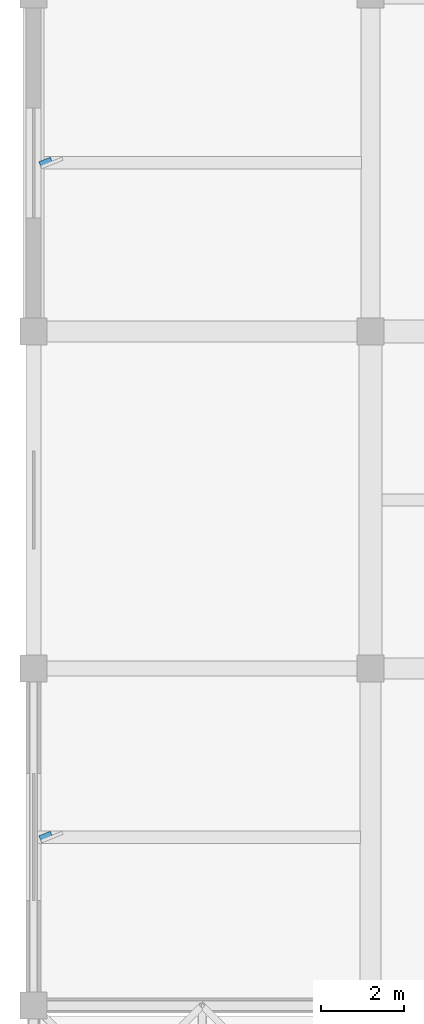
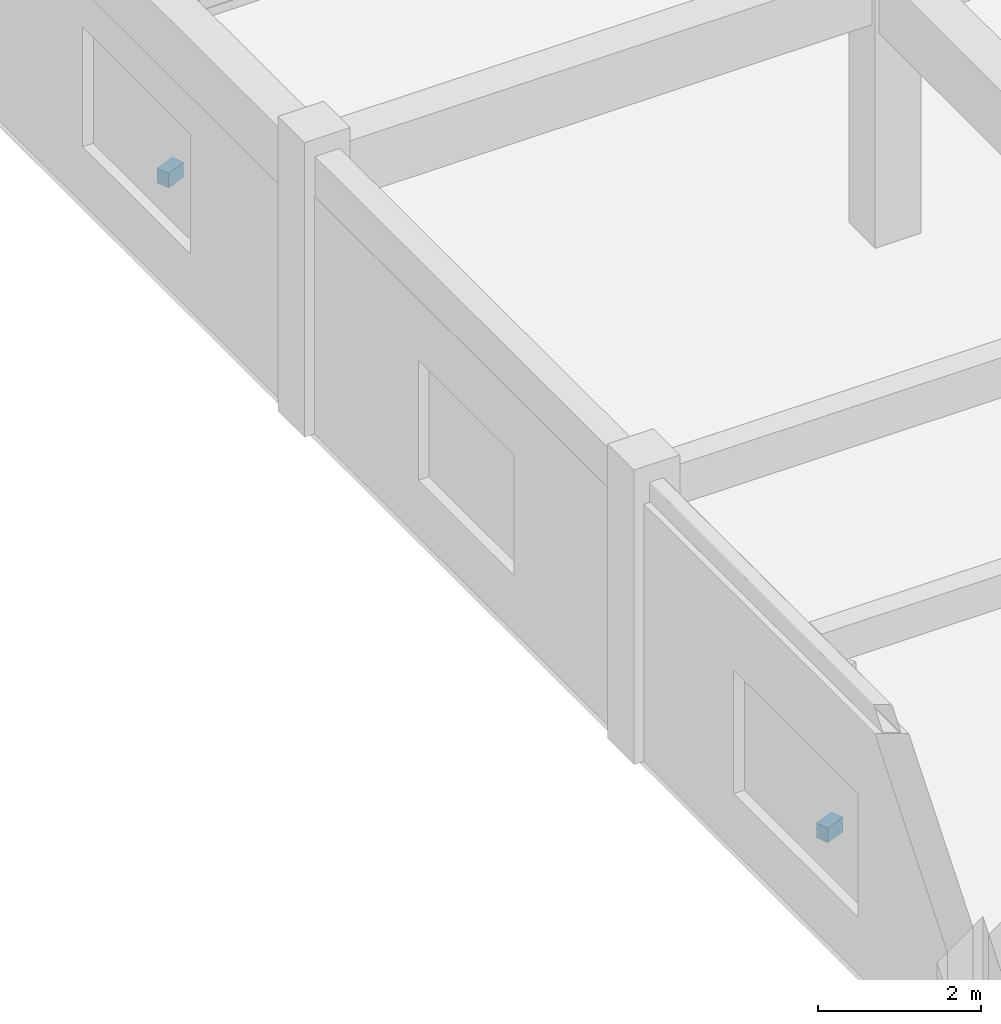
# One storey, part 61 of 70: 2 discrete accessories.
"""IFC4 building model written with IfcOpenShell, lengths in metres."""

from ifc_helpers import new_model, si_unit, direction, frame, origin, origin_2d, place, context, subcontext, project, spatial, rectangle, extrude, material, type_object, element, save


model = new_model("IFC4")

# Units and contexts
model_context = context("Model", 3, precision=1e-05, world=origin(), true_north=direction((0.0, 1.0)))
body_context = subcontext(model_context, "Body", "Model", "MODEL_VIEW")
ifc_project = project(units=[si_unit("LENGTHUNIT", "METRE"), si_unit("AREAUNIT", "SQUARE_METRE"), si_unit("VOLUMEUNIT", "CUBIC_METRE"), si_unit("PLANEANGLEUNIT", "RADIAN"), si_unit("MASSUNIT", "GRAM", prefix="KILO")], contexts=[model_context])

# Site, building, storey
site_placement = place(None, origin())
site = spatial("IfcSite", under=ifc_project, at=site_placement, CompositionType="ELEMENT")
building_placement = place(site_placement, origin())
building = spatial("IfcBuilding", under=site, at=building_placement, Name="Vaudrelin Polytechnic", CompositionType="ELEMENT")
storey_placement = place(building_placement, frame((0.0, 0.0, 14.110107421875)))
storey = spatial("IfcBuildingStorey", under=building, at=storey_placement, Name="L03", CompositionType="ELEMENT", Elevation=14.110107421875)

# Discrete accessories
ifc_material = material(Name="Galvanised steel CSA G40.21 350W", Category="steel")
discrete_accessory_type = type_object("IfcDiscreteAccessoryType", Name="ENV-BRK-01", PredefinedType="BRACKET", material=ifc_material)
for number, where, z_axis, x_axis, name in (
    (1, (0.300048828125, 101.25, 0.98974609375), (0.0, 0.0, 1.0), (0.927183854567, 0.374606593416, 0.0), "Solar fin support bracket BRK-030"),
    (2, (0.300048828125, 117.449951171875, 0.98974609375), (0.0, 0.0, 1.0), (0.927183854567, 0.374606593416, 0.0), "Solar fin support bracket BRK-031"),
):
    element("IfcDiscreteAccessory", number, at=place(storey_placement, frame(where, z_axis=z_axis, x_axis=x_axis)), inside=storey, type_object=discrete_accessory_type, Name=name, PredefinedType="BRACKET", context=body_context, shape_type="SweptSolid", body=[
        extrude(rectangle(XDim=0.300048828125, YDim=0.179931640625, at=origin_2d()), origin(), (0.0, 0.0, 1.0), 0.219970703125),
    ])

save(model, "model.ifc")
